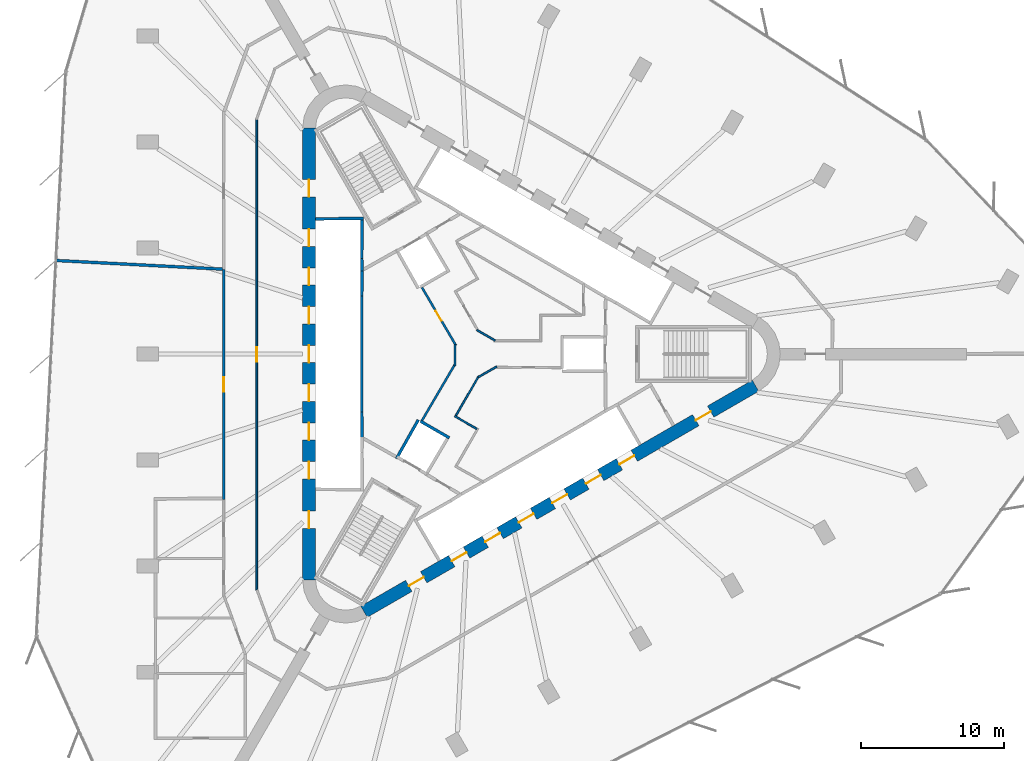
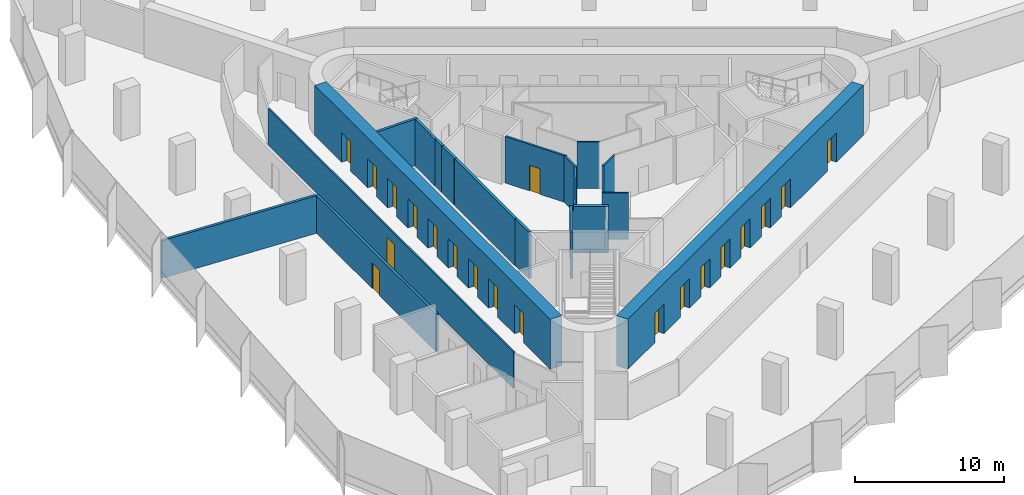
# One storey, part 10 of 14: 20 doors, 20 walls, 20 openings.
"""IFC4 building model written with IfcOpenShell, lengths in metres."""

from ifc_helpers import new_model, si_unit, direction, frame, frame_2d, origin, place, context, subcontext, project, spatial, rectangle, extrude, material, layer, layer_set, type_object, element, fill, save


model = new_model("IFC4")

# Units and contexts
model_context = context("Model", 3, precision=1e-05, world=origin(), true_north=direction((0.0, 1.0)))
body_context = subcontext(model_context, "Body", "Model", "MODEL_VIEW")
ifc_project = project(units=[si_unit("LENGTHUNIT", "METRE"), si_unit("AREAUNIT", "SQUARE_METRE"), si_unit("VOLUMEUNIT", "CUBIC_METRE"), si_unit("PLANEANGLEUNIT", "RADIAN"), si_unit("MASSUNIT", "GRAM", prefix="KILO")], contexts=[model_context])

# Site, building, storey
site_placement = place(None, origin())
site = spatial("IfcSite", under=ifc_project, at=site_placement, CompositionType="ELEMENT")
building_placement = place(site_placement, origin())
building = spatial("IfcBuilding", under=site, at=building_placement, Name="Tanit Gate Tower", CompositionType="ELEMENT")
storey_placement = place(building_placement, frame((0.0, 0.0, 111.10009765625)))
storey = spatial("IfcBuildingStorey", under=building, at=storey_placement, Name="L23", CompositionType="ELEMENT", Elevation=111.10009765625)

# Wall, openings, doors
ifc_material_1 = material(Name="Concrete C60/75", Category="concrete")
ifc_layer_1 = layer(ifc_material_1, 0.89990234375)
ifc_layer_set_1 = layer_set([ifc_layer_1], Name="CORE WALL 900 C60/75")
wall_type_1 = type_object("IfcWallType", Name="CORE WALL 900 C60/75", PredefinedType="SHEAR", material=ifc_layer_set_1)
wall_1_placement = place(storey_placement, frame((-11.64990234375, 15.76171875, 0.0), z_axis=(0.0, 0.0, 1.0), x_axis=(0.0, -1.0, 0.0)))
wall_1 = element("IfcWall", 1, at=wall_1_placement, inside=storey, type_object=wall_type_1, Name="CORE WALL", PredefinedType="SHEAR", context=body_context, shape_type="SweptSolid", body=[
    extrude(rectangle(XDim=31.5234375, YDim=0.89990234375, at=frame_2d((15.76171875, 0.0))), origin(), (0.0, 0.0, 1.0), 4.099853515625),
])
opening_1_placement = place(wall_1_placement, frame((7.061767578125, 0.0, 0.0)))
opening_1 = element("IfcOpeningElement", 2, at=opening_1_placement, cuts=wall_1, Name="Opening LDLL1-S05", PredefinedType="OPENING", context=body_context, shape_type="SweptSolid", body=[
    extrude(rectangle(XDim=1.199951171875, YDim=2.39990234375, at=frame_2d((0.60009765625, 1.199951171875))), frame((0.0, 0.4599609375, 0.0), z_axis=(0.0, -1.0, 0.0), x_axis=(1.0, 0.0, 0.0)), (0.0, 0.0, 1.0), 0.919921875),
])
opening_2_placement = place(wall_1_placement, frame((9.76171875, 0.0, 0.0)))
opening_2 = element("IfcOpeningElement", 3, at=opening_2_placement, cuts=wall_1, Name="Opening LDLL2-S05", PredefinedType="OPENING", context=body_context, shape_type="SweptSolid", body=[
    extrude(rectangle(XDim=1.199951171875, YDim=2.39990234375, at=frame_2d((0.60009765625, 1.199951171875))), frame((0.0, 0.4599609375, 0.0), z_axis=(0.0, -1.0, 0.0), x_axis=(1.0, 0.0, 0.0)), (0.0, 0.0, 1.0), 0.919921875),
])
opening_3_placement = place(wall_1_placement, frame((12.461669921875, 0.0, 0.0)))
opening_3 = element("IfcOpeningElement", 4, at=opening_3_placement, cuts=wall_1, Name="Opening LDLL3-S05", PredefinedType="OPENING", context=body_context, shape_type="SweptSolid", body=[
    extrude(rectangle(XDim=1.199951171875, YDim=2.39990234375, at=frame_2d((0.60009765625, 1.199951171875))), frame((0.0, 0.4599609375, 0.0), z_axis=(0.0, -1.0, 0.0), x_axis=(1.0, 0.0, 0.0)), (0.0, 0.0, 1.0), 0.919921875),
])
opening_4_placement = place(wall_1_placement, frame((15.16162109375, 0.0, 0.0)))
opening_4 = element("IfcOpeningElement", 5, at=opening_4_placement, cuts=wall_1, Name="Opening LDLL4-S05", PredefinedType="OPENING", context=body_context, shape_type="SweptSolid", body=[
    extrude(rectangle(XDim=1.199951171875, YDim=2.39990234375, at=frame_2d((0.60009765625, 1.199951171875))), frame((0.0, 0.4599609375, 0.0), z_axis=(0.0, -1.0, 0.0), x_axis=(1.0, 0.0, 0.0)), (0.0, 0.0, 1.0), 0.919921875),
])
opening_5_placement = place(wall_1_placement, frame((17.86181640625, 0.0, 0.0)))
opening_5 = element("IfcOpeningElement", 6, at=opening_5_placement, cuts=wall_1, Name="Opening LDLL5-S05", PredefinedType="OPENING", context=body_context, shape_type="SweptSolid", body=[
    extrude(rectangle(XDim=1.199951171875, YDim=2.39990234375, at=frame_2d((0.60009765625, 1.199951171875))), frame((0.0, 0.4599609375, 0.0), z_axis=(0.0, -1.0, 0.0), x_axis=(1.0, 0.0, 0.0)), (0.0, 0.0, 1.0), 0.919921875),
])
opening_6_placement = place(wall_1_placement, frame((20.561767578125, 0.0, 0.0)))
opening_6 = element("IfcOpeningElement", 7, at=opening_6_placement, cuts=wall_1, Name="Opening LDLL6-S05", PredefinedType="OPENING", context=body_context, shape_type="SweptSolid", body=[
    extrude(rectangle(XDim=1.199951171875, YDim=2.39990234375, at=frame_2d((0.60009765625, 1.199951171875))), frame((0.0, 0.4599609375, 0.0), z_axis=(0.0, -1.0, 0.0), x_axis=(1.0, 0.0, 0.0)), (0.0, 0.0, 1.0), 0.919921875),
])
opening_7_placement = place(wall_1_placement, frame((23.26171875, 0.0, 0.0)))
opening_7 = element("IfcOpeningElement", 8, at=opening_7_placement, cuts=wall_1, Name="Opening LDLL7-S05", PredefinedType="OPENING", context=body_context, shape_type="SweptSolid", body=[
    extrude(rectangle(XDim=1.199951171875, YDim=2.39990234375, at=frame_2d((0.60009765625, 1.199951171875))), frame((0.0, 0.4599609375, 0.0), z_axis=(0.0, -1.0, 0.0), x_axis=(1.0, 0.0, 0.0)), (0.0, 0.0, 1.0), 0.919921875),
])
opening_8_placement = place(wall_1_placement, frame((3.61181640625, 0.0, 0.0)))
opening_8 = element("IfcOpeningElement", 9, at=opening_8_placement, cuts=wall_1, Name="Opening F12-S05-FL2", PredefinedType="OPENING", context=body_context, shape_type="SweptSolid", body=[
    extrude(rectangle(XDim=1.199951171875, YDim=2.39990234375, at=frame_2d((0.60009765625, 1.199951171875))), frame((0.0, 0.4599609375, 0.0), z_axis=(0.0, -1.0, 0.0), x_axis=(1.0, 0.0, 0.0)), (0.0, 0.0, 1.0), 0.919921875),
])
opening_9_placement = place(wall_1_placement, frame((26.711669921875, 0.0, 0.0)))
opening_9 = element("IfcOpeningElement", 10, at=opening_9_placement, cuts=wall_1, Name="Opening F12-S05-S3", PredefinedType="OPENING", context=body_context, shape_type="SweptSolid", body=[
    extrude(rectangle(XDim=1.199951171875, YDim=2.39990234375, at=frame_2d((0.60009765625, 1.199951171875))), frame((0.0, 0.4599609375, 0.0), z_axis=(0.0, -1.0, 0.0), x_axis=(1.0, 0.0, 0.0)), (0.0, 0.0, 1.0), 0.919921875),
])
ifc_material_2 = material(Name="Fire-rated steel door leaf", Category="steel")
door_type_1 = type_object("IfcDoorType", Name="INT-DOOR-FIRE-LOBBY-1200", OperationType="NOTDEFINED", PredefinedType="USERDEFINED", material=ifc_material_2)
door_1_placement = place(opening_8_placement, origin())
door_1 = element("IfcDoor", 11, at=door_1_placement, inside=storey, type_object=door_type_1, Name="Door F12-S05-FL2", ObjectType="FIRE DOOR", OperationType="SINGLE_SWING_RIGHT", OverallHeight=2.39990234375, OverallWidth=1.199951171875, PredefinedType="USERDEFINED", context=body_context, shape_type="SweptSolid", body=[
    extrude(rectangle(XDim=1.199951171875, YDim=2.39990234375, at=frame_2d((0.60009765625, 1.199951171875))), frame((0.0, 0.02490234375, 0.0), z_axis=(0.0, -1.0, 0.0), x_axis=(1.0, 0.0, 0.0)), (0.0, 0.0, 1.0), 0.050048828125),
])
fill(opening_8, door_1)
door_2_placement = place(opening_9_placement, origin())
door_2 = element("IfcDoor", 12, at=door_2_placement, inside=storey, type_object=door_type_1, Name="Door F12-S05-S3", ObjectType="FIRE DOOR", OperationType="SINGLE_SWING_LEFT", OverallHeight=2.39990234375, OverallWidth=1.199951171875, PredefinedType="USERDEFINED", context=body_context, shape_type="SweptSolid", body=[
    extrude(rectangle(XDim=1.199951171875, YDim=2.39990234375, at=frame_2d((0.60009765625, 1.199951171875))), frame((0.0, 0.02490234375, 0.0), z_axis=(0.0, -1.0, 0.0), x_axis=(1.0, 0.0, 0.0)), (0.0, 0.0, 1.0), 0.050048828125),
])
fill(opening_9, door_2)
ifc_material_3 = material(Name="Stainless steel sliding door leaf", Category="steel")
door_type_2 = type_object("IfcDoorType", Name="INT-DOOR-LANDING-1200", OperationType="NOTDEFINED", PredefinedType="USERDEFINED", material=ifc_material_3)
door_3_placement = place(opening_1_placement, origin())
door_3 = element("IfcDoor", 13, at=door_3_placement, inside=storey, type_object=door_type_2, Name="Door LDLL1-S05", ObjectType="LANDING DOOR", OperationType="SLIDING_TO_LEFT", OverallHeight=2.39990234375, OverallWidth=1.199951171875, PredefinedType="USERDEFINED", context=body_context, shape_type="SweptSolid", body=[
    extrude(rectangle(XDim=1.199951171875, YDim=2.39990234375, at=frame_2d((0.60009765625, 1.199951171875))), frame((0.0, 0.02490234375, 0.0), z_axis=(0.0, -1.0, 0.0), x_axis=(1.0, 0.0, 0.0)), (0.0, 0.0, 1.0), 0.050048828125),
])
fill(opening_1, door_3)
door_4_placement = place(opening_2_placement, origin())
door_4 = element("IfcDoor", 14, at=door_4_placement, inside=storey, type_object=door_type_2, Name="Door LDLL2-S05", ObjectType="LANDING DOOR", OperationType="SLIDING_TO_LEFT", OverallHeight=2.39990234375, OverallWidth=1.199951171875, PredefinedType="USERDEFINED", context=body_context, shape_type="SweptSolid", body=[
    extrude(rectangle(XDim=1.199951171875, YDim=2.39990234375, at=frame_2d((0.60009765625, 1.199951171875))), frame((0.0, 0.02490234375, 0.0), z_axis=(0.0, -1.0, 0.0), x_axis=(1.0, 0.0, 0.0)), (0.0, 0.0, 1.0), 0.050048828125),
])
fill(opening_2, door_4)
door_5_placement = place(opening_3_placement, origin())
door_5 = element("IfcDoor", 15, at=door_5_placement, inside=storey, type_object=door_type_2, Name="Door LDLL3-S05", ObjectType="LANDING DOOR", OperationType="SLIDING_TO_LEFT", OverallHeight=2.39990234375, OverallWidth=1.199951171875, PredefinedType="USERDEFINED", context=body_context, shape_type="SweptSolid", body=[
    extrude(rectangle(XDim=1.199951171875, YDim=2.39990234375, at=frame_2d((0.60009765625, 1.199951171875))), frame((0.0, 0.02490234375, 0.0), z_axis=(0.0, -1.0, 0.0), x_axis=(1.0, 0.0, 0.0)), (0.0, 0.0, 1.0), 0.050048828125),
])
fill(opening_3, door_5)
door_6_placement = place(opening_4_placement, origin())
door_6 = element("IfcDoor", 16, at=door_6_placement, inside=storey, type_object=door_type_2, Name="Door LDLL4-S05", ObjectType="LANDING DOOR", OperationType="SLIDING_TO_LEFT", OverallHeight=2.39990234375, OverallWidth=1.199951171875, PredefinedType="USERDEFINED", context=body_context, shape_type="SweptSolid", body=[
    extrude(rectangle(XDim=1.199951171875, YDim=2.39990234375, at=frame_2d((0.60009765625, 1.199951171875))), frame((0.0, 0.02490234375, 0.0), z_axis=(0.0, -1.0, 0.0), x_axis=(1.0, 0.0, 0.0)), (0.0, 0.0, 1.0), 0.050048828125),
])
fill(opening_4, door_6)
door_7_placement = place(opening_5_placement, origin())
door_7 = element("IfcDoor", 17, at=door_7_placement, inside=storey, type_object=door_type_2, Name="Door LDLL5-S05", ObjectType="LANDING DOOR", OperationType="SLIDING_TO_LEFT", OverallHeight=2.39990234375, OverallWidth=1.199951171875, PredefinedType="USERDEFINED", context=body_context, shape_type="SweptSolid", body=[
    extrude(rectangle(XDim=1.199951171875, YDim=2.39990234375, at=frame_2d((0.60009765625, 1.199951171875))), frame((0.0, 0.02490234375, 0.0), z_axis=(0.0, -1.0, 0.0), x_axis=(1.0, 0.0, 0.0)), (0.0, 0.0, 1.0), 0.050048828125),
])
fill(opening_5, door_7)
door_8_placement = place(opening_6_placement, origin())
door_8 = element("IfcDoor", 18, at=door_8_placement, inside=storey, type_object=door_type_2, Name="Door LDLL6-S05", ObjectType="LANDING DOOR", OperationType="SLIDING_TO_LEFT", OverallHeight=2.39990234375, OverallWidth=1.199951171875, PredefinedType="USERDEFINED", context=body_context, shape_type="SweptSolid", body=[
    extrude(rectangle(XDim=1.199951171875, YDim=2.39990234375, at=frame_2d((0.60009765625, 1.199951171875))), frame((0.0, 0.02490234375, 0.0), z_axis=(0.0, -1.0, 0.0), x_axis=(1.0, 0.0, 0.0)), (0.0, 0.0, 1.0), 0.050048828125),
])
fill(opening_6, door_8)
door_9_placement = place(opening_7_placement, origin())
door_9 = element("IfcDoor", 19, at=door_9_placement, inside=storey, type_object=door_type_2, Name="Door LDLL7-S05", ObjectType="LANDING DOOR", OperationType="SLIDING_TO_LEFT", OverallHeight=2.39990234375, OverallWidth=1.199951171875, PredefinedType="USERDEFINED", context=body_context, shape_type="SweptSolid", body=[
    extrude(rectangle(XDim=1.199951171875, YDim=2.39990234375, at=frame_2d((0.60009765625, 1.199951171875))), frame((0.0, 0.02490234375, 0.0), z_axis=(0.0, -1.0, 0.0), x_axis=(1.0, 0.0, 0.0)), (0.0, 0.0, 1.0), 0.050048828125),
])
fill(opening_7, door_9)

wall_2_placement = place(storey_placement, frame((-7.824951171875, -17.969970703125, 0.0), z_axis=(0.0, 0.0, 1.0), x_axis=(0.866028369851, 0.499994862586, 0.0)))
wall_2 = element("IfcWall", 20, at=wall_2_placement, inside=storey, type_object=wall_type_1, Name="CORE WALL", PredefinedType="SHEAR", context=body_context, shape_type="SweptSolid", body=[
    extrude(rectangle(XDim=31.523193359375, YDim=0.89990234375, at=frame_2d((15.76171875, 0.0))), origin(), (0.0, 0.0, 1.0), 4.099853515625),
])
opening_10_placement = place(wall_2_placement, frame((7.061767578125, 0.0, 0.0)))
opening_10 = element("IfcOpeningElement", 21, at=opening_10_placement, cuts=wall_2, Name="Opening LDSX1-S05", PredefinedType="OPENING", context=body_context, shape_type="SweptSolid", body=[
    extrude(rectangle(XDim=1.199951171875, YDim=2.39990234375, at=frame_2d((0.60009765625, 1.199951171875))), frame((0.0, 0.4599609375, 0.0), z_axis=(0.0, -1.0, 0.0), x_axis=(1.0, 0.0, 0.0)), (0.0, 0.0, 1.0), 0.919921875),
])
opening_11_placement = place(wall_2_placement, frame((9.76171875, 0.0, 0.0)))
opening_11 = element("IfcOpeningElement", 22, at=opening_11_placement, cuts=wall_2, Name="Opening LDSX2-S05", PredefinedType="OPENING", context=body_context, shape_type="SweptSolid", body=[
    extrude(rectangle(XDim=1.199951171875, YDim=2.39990234375, at=frame_2d((0.60009765625, 1.199951171875))), frame((0.0, 0.4599609375, 0.0), z_axis=(0.0, -1.0, 0.0), x_axis=(1.0, 0.0, 0.0)), (0.0, 0.0, 1.0), 0.919921875),
])
opening_12_placement = place(wall_2_placement, frame((12.461669921875, 0.0, 0.0)))
opening_12 = element("IfcOpeningElement", 23, at=opening_12_placement, cuts=wall_2, Name="Opening LDSX3-S05", PredefinedType="OPENING", context=body_context, shape_type="SweptSolid", body=[
    extrude(rectangle(XDim=1.199951171875, YDim=2.39990234375, at=frame_2d((0.60009765625, 1.199951171875))), frame((0.0, 0.4599609375, 0.0), z_axis=(0.0, -1.0, 0.0), x_axis=(1.0, 0.0, 0.0)), (0.0, 0.0, 1.0), 0.919921875),
])
opening_13_placement = place(wall_2_placement, frame((15.16162109375, 0.0, 0.0)))
opening_13 = element("IfcOpeningElement", 24, at=opening_13_placement, cuts=wall_2, Name="Opening LDSX4-S05", PredefinedType="OPENING", context=body_context, shape_type="SweptSolid", body=[
    extrude(rectangle(XDim=1.199951171875, YDim=2.39990234375, at=frame_2d((0.60009765625, 1.199951171875))), frame((0.0, 0.4599609375, 0.0), z_axis=(0.0, -1.0, 0.0), x_axis=(1.0, 0.0, 0.0)), (0.0, 0.0, 1.0), 0.919921875),
])
opening_14_placement = place(wall_2_placement, frame((17.861572265625, 0.0, 0.0)))
opening_14 = element("IfcOpeningElement", 25, at=opening_14_placement, cuts=wall_2, Name="Opening LDSV1-S05", PredefinedType="OPENING", context=body_context, shape_type="SweptSolid", body=[
    extrude(rectangle(XDim=1.199951171875, YDim=2.39990234375, at=frame_2d((0.60009765625, 1.199951171875))), frame((0.0, 0.4599609375, 0.0), z_axis=(0.0, -1.0, 0.0), x_axis=(1.0, 0.0, 0.0)), (0.0, 0.0, 1.0), 0.919921875),
])
opening_15_placement = place(wall_2_placement, frame((20.561767578125, 0.0, 0.0)))
opening_15 = element("IfcOpeningElement", 26, at=opening_15_placement, cuts=wall_2, Name="Opening LDSV2-S05", PredefinedType="OPENING", context=body_context, shape_type="SweptSolid", body=[
    extrude(rectangle(XDim=1.199951171875, YDim=2.39990234375, at=frame_2d((0.60009765625, 1.199951171875))), frame((0.0, 0.4599609375, 0.0), z_axis=(0.0, -1.0, 0.0), x_axis=(1.0, 0.0, 0.0)), (0.0, 0.0, 1.0), 0.919921875),
])
opening_16_placement = place(wall_2_placement, frame((26.711669921875, 0.0, 0.0)))
opening_16 = element("IfcOpeningElement", 27, at=opening_16_placement, cuts=wall_2, Name="Opening F12-S05-S1", PredefinedType="OPENING", context=body_context, shape_type="SweptSolid", body=[
    extrude(rectangle(XDim=1.199951171875, YDim=2.39990234375, at=frame_2d((0.60009765625, 1.199951171875))), frame((0.0, 0.4599609375, 0.0), z_axis=(0.0, -1.0, 0.0), x_axis=(1.0, 0.0, 0.0)), (0.0, 0.0, 1.0), 0.919921875),
])
opening_17_placement = place(wall_2_placement, frame((3.611572265625, 0.0, 0.0)))
opening_17 = element("IfcOpeningElement", 28, at=opening_17_placement, cuts=wall_2, Name="Opening F12-S05-FL3", PredefinedType="OPENING", context=body_context, shape_type="SweptSolid", body=[
    extrude(rectangle(XDim=1.199951171875, YDim=2.39990234375, at=frame_2d((0.60009765625, 1.199951171875))), frame((0.0, 0.4599609375, 0.0), z_axis=(0.0, -1.0, 0.0), x_axis=(1.0, 0.0, 0.0)), (0.0, 0.0, 1.0), 0.919921875),
])
door_10_placement = place(opening_16_placement, origin())
door_10 = element("IfcDoor", 29, at=door_10_placement, inside=storey, type_object=door_type_1, Name="Door F12-S05-S1", ObjectType="FIRE DOOR", OperationType="SINGLE_SWING_LEFT", OverallHeight=2.39990234375, OverallWidth=1.199951171875, PredefinedType="USERDEFINED", context=body_context, shape_type="SweptSolid", body=[
    extrude(rectangle(XDim=1.199951171875, YDim=2.39990234375, at=frame_2d((0.60009765625, 1.199951171875))), frame((0.0, 0.02490234375, 0.0), z_axis=(0.0, -1.0, 0.0), x_axis=(1.0, 0.0, 0.0)), (0.0, 0.0, 1.0), 0.050048828125),
])
fill(opening_16, door_10)
door_11_placement = place(opening_17_placement, origin())
door_11 = element("IfcDoor", 30, at=door_11_placement, inside=storey, type_object=door_type_1, Name="Door F12-S05-FL3", ObjectType="FIRE DOOR", OperationType="SINGLE_SWING_RIGHT", OverallHeight=2.39990234375, OverallWidth=1.199951171875, PredefinedType="USERDEFINED", context=body_context, shape_type="SweptSolid", body=[
    extrude(rectangle(XDim=1.199951171875, YDim=2.39990234375, at=frame_2d((0.60009765625, 1.199951171875))), frame((0.0, 0.02490234375, 0.0), z_axis=(0.0, -1.0, 0.0), x_axis=(1.0, 0.0, 0.0)), (0.0, 0.0, 1.0), 0.050048828125),
])
fill(opening_17, door_11)
door_12_placement = place(opening_10_placement, origin())
door_12 = element("IfcDoor", 31, at=door_12_placement, inside=storey, type_object=door_type_2, Name="Door LDSX1-S05", ObjectType="LANDING DOOR", OperationType="SLIDING_TO_LEFT", OverallHeight=2.39990234375, OverallWidth=1.199951171875, PredefinedType="USERDEFINED", context=body_context, shape_type="SweptSolid", body=[
    extrude(rectangle(XDim=1.199951171875, YDim=2.39990234375, at=frame_2d((0.60009765625, 1.199951171875))), frame((0.0, 0.02490234375, 0.0), z_axis=(0.0, -1.0, 0.0), x_axis=(1.0, 0.0, 0.0)), (0.0, 0.0, 1.0), 0.050048828125),
])
fill(opening_10, door_12)
door_13_placement = place(opening_11_placement, origin())
door_13 = element("IfcDoor", 32, at=door_13_placement, inside=storey, type_object=door_type_2, Name="Door LDSX2-S05", ObjectType="LANDING DOOR", OperationType="SLIDING_TO_LEFT", OverallHeight=2.39990234375, OverallWidth=1.199951171875, PredefinedType="USERDEFINED", context=body_context, shape_type="SweptSolid", body=[
    extrude(rectangle(XDim=1.199951171875, YDim=2.39990234375, at=frame_2d((0.60009765625, 1.199951171875))), frame((0.0, 0.02490234375, 0.0), z_axis=(0.0, -1.0, 0.0), x_axis=(1.0, 0.0, 0.0)), (0.0, 0.0, 1.0), 0.050048828125),
])
fill(opening_11, door_13)
door_14_placement = place(opening_12_placement, origin())
door_14 = element("IfcDoor", 33, at=door_14_placement, inside=storey, type_object=door_type_2, Name="Door LDSX3-S05", ObjectType="LANDING DOOR", OperationType="SLIDING_TO_LEFT", OverallHeight=2.39990234375, OverallWidth=1.199951171875, PredefinedType="USERDEFINED", context=body_context, shape_type="SweptSolid", body=[
    extrude(rectangle(XDim=1.199951171875, YDim=2.39990234375, at=frame_2d((0.60009765625, 1.199951171875))), frame((0.0, 0.02490234375, 0.0), z_axis=(0.0, -1.0, 0.0), x_axis=(1.0, 0.0, 0.0)), (0.0, 0.0, 1.0), 0.050048828125),
])
fill(opening_12, door_14)
door_15_placement = place(opening_13_placement, origin())
door_15 = element("IfcDoor", 34, at=door_15_placement, inside=storey, type_object=door_type_2, Name="Door LDSX4-S05", ObjectType="LANDING DOOR", OperationType="SLIDING_TO_LEFT", OverallHeight=2.39990234375, OverallWidth=1.199951171875, PredefinedType="USERDEFINED", context=body_context, shape_type="SweptSolid", body=[
    extrude(rectangle(XDim=1.199951171875, YDim=2.39990234375, at=frame_2d((0.60009765625, 1.199951171875))), frame((0.0, 0.02490234375, 0.0), z_axis=(0.0, -1.0, 0.0), x_axis=(1.0, 0.0, 0.0)), (0.0, 0.0, 1.0), 0.050048828125),
])
fill(opening_13, door_15)
door_16_placement = place(opening_14_placement, origin())
door_16 = element("IfcDoor", 35, at=door_16_placement, inside=storey, type_object=door_type_2, Name="Door LDSV1-S05", ObjectType="LANDING DOOR", OperationType="SLIDING_TO_LEFT", OverallHeight=2.39990234375, OverallWidth=1.199951171875, PredefinedType="USERDEFINED", context=body_context, shape_type="SweptSolid", body=[
    extrude(rectangle(XDim=1.199951171875, YDim=2.39990234375, at=frame_2d((0.60009765625, 1.199951171875))), frame((0.0, 0.02490234375, 0.0), z_axis=(0.0, -1.0, 0.0), x_axis=(1.0, 0.0, 0.0)), (0.0, 0.0, 1.0), 0.050048828125),
])
fill(opening_14, door_16)
door_17_placement = place(opening_15_placement, origin())
door_17 = element("IfcDoor", 36, at=door_17_placement, inside=storey, type_object=door_type_2, Name="Door LDSV2-S05", ObjectType="LANDING DOOR", OperationType="SLIDING_TO_LEFT", OverallHeight=2.39990234375, OverallWidth=1.199951171875, PredefinedType="USERDEFINED", context=body_context, shape_type="SweptSolid", body=[
    extrude(rectangle(XDim=1.199951171875, YDim=2.39990234375, at=frame_2d((0.60009765625, 1.199951171875))), frame((0.0, 0.02490234375, 0.0), z_axis=(0.0, -1.0, 0.0), x_axis=(1.0, 0.0, 0.0)), (0.0, 0.0, 1.0), 0.050048828125),
])
fill(opening_15, door_17)

# Wall, opening, door
ifc_material_4 = material(Name="Fire-rated gypsum board partition")
ifc_layer_2 = layer(ifc_material_4, 0.199951171875)
ifc_layer_set_2 = layer_set([ifc_layer_2], Name="INT-WALL-COMPARTMENT")
wall_type_2 = type_object("IfcWallType", Name="INT-WALL-COMPARTMENT", PredefinedType="PARTITIONING", material=ifc_layer_set_2)
wall_3_placement = place(storey_placement, frame((-17.60009765625, 5.888427734375, 0.0), z_axis=(0.0, 0.0, 1.0), x_axis=(0.0, -1.0, 0.0)))
wall_3 = element("IfcWall", 37, at=wall_3_placement, inside=storey, type_object=wall_type_2, Name="Wall Compartment W089", PredefinedType="PARTITIONING", context=body_context, shape_type="SweptSolid", body=[
    extrude(rectangle(XDim=16.018310546875, YDim=0.199951171875, at=frame_2d((8.00927734375, 0.0))), origin(), (0.0, 0.0, 1.0), 3.079833984375),
])
opening_18_placement = place(wall_3_placement, frame((7.50927734375, 0.0, 0.0)))
opening_18 = element("IfcOpeningElement", 38, at=opening_18_placement, cuts=wall_3, Name="Opening F10-S05-20", PredefinedType="OPENING", context=body_context, shape_type="SweptSolid", body=[
    extrude(rectangle(XDim=1.0, YDim=2.10009765625, at=frame_2d((0.5, 1.050048828125))), frame((0.0, 0.10986328125, 0.0), z_axis=(0.0, -1.0, 0.0), x_axis=(1.0, 0.0, 0.0)), (0.0, 0.0, 1.0), 0.219970703125),
])
ifc_material_5 = material(Name="Fire-rated steel door leaf", Category="steel")
door_type_3 = type_object("IfcDoorType", Name="INT-DOOR-FIRE-1000", OperationType="NOTDEFINED", PredefinedType="USERDEFINED", material=ifc_material_5)
door_18_placement = place(opening_18_placement, origin())
door_18 = element("IfcDoor", 39, at=door_18_placement, inside=storey, type_object=door_type_3, Name="Door F10-S05-20", ObjectType="FIRE DOOR", OperationType="SINGLE_SWING_RIGHT", OverallHeight=2.10009765625, OverallWidth=1.0, PredefinedType="USERDEFINED", context=body_context, shape_type="SweptSolid", body=[
    extrude(rectangle(XDim=1.0, YDim=2.10009765625, at=frame_2d((0.5, 1.050048828125))), frame((0.0, 0.02490234375, 0.0), z_axis=(0.0, -1.0, 0.0), x_axis=(1.0, 0.0, 0.0)), (0.0, 0.0, 1.0), 0.050048828125),
])
fill(opening_18, door_18)

# Walls
wall_4_placement = place(storey_placement, frame((-17.699951171875, 5.916259765625, 0.0), z_axis=(0.0, 0.0, 1.0), x_axis=(-0.998647121722, 0.051999291111, 0.0)))
element("IfcWall", 40, at=wall_4_placement, inside=storey, type_object=wall_type_2, Name="Wall Compartment W109", PredefinedType="PARTITIONING", context=body_context, shape_type="SweptSolid", body=[
    extrude(rectangle(XDim=11.61083984375, YDim=0.199951171875, at=frame_2d((5.805419921875, 0.0))), origin(), (0.0, 0.0, 1.0), 3.079833984375),
])
ifc_material_6 = material(Name="Gypsum board partition")
ifc_layer_3 = layer(ifc_material_6, 0.1201171875)
ifc_layer_set_3 = layer_set([ifc_layer_3], Name="INT-WALL-PARTITION")
wall_type_3 = type_object("IfcWallType", Name="INT-WALL-PARTITION", PredefinedType="PARTITIONING", material=ifc_layer_set_3)
wall_5_placement = place(storey_placement, frame((-1.5009765625, -4.32958984375, 0.0), z_axis=(0.0, 0.0, 1.0), x_axis=(0.866059624469, -0.499940723351, 0.0)))
element("IfcWall", 41, at=wall_5_placement, inside=storey, type_object=wall_type_3, Name="Wall Partition W070", PredefinedType="PARTITIONING", context=body_context, shape_type="SweptSolid", body=[
    extrude(rectangle(XDim=1.775146484375, YDim=0.1201171875, at=frame_2d((0.8876953125, 0.0))), origin(), (0.0, 0.0, 1.0), 3.7998046875),
])
wall_6_placement = place(storey_placement, frame((0.181884765625, -1.534912109375, 0.0), z_axis=(0.0, 0.0, 1.0), x_axis=(-0.500001886891, -0.866024314385, 0.0)))
element("IfcWall", 42, at=wall_6_placement, inside=storey, type_object=wall_type_3, Name="Wall Partition W071", PredefinedType="PARTITIONING", context=body_context, shape_type="SweptSolid", body=[
    extrude(rectangle(XDim=3.20166015625, YDim=0.1201171875, at=frame_2d((1.600830078125, 0.0))), origin(), (0.0, 0.0, 1.0), 3.7998046875),
])
wall_7_placement = place(storey_placement, frame((1.43115234375, -0.873779296875, 0.0), z_axis=(0.0, 0.0, 1.0), x_axis=(-0.866037643702, -0.499978799242, 0.0)))
element("IfcWall", 43, at=wall_7_placement, inside=storey, type_object=wall_type_3, Name="Wall Partition W072", PredefinedType="PARTITIONING", context=body_context, shape_type="SweptSolid", body=[
    extrude(rectangle(XDim=1.48388671875, YDim=0.1201171875, at=frame_2d((0.741943359375, 0.0))), origin(), (0.0, 0.0, 1.0), 3.7998046875),
])
wall_8_placement = place(storey_placement, frame((0.039794921875, 1.677001953125, 0.0), z_axis=(0.0, 0.0, 1.0), x_axis=(0.866029572143, -0.499992780121, 0.0)))
element("IfcWall", 44, at=wall_8_placement, inside=storey, type_object=wall_type_3, Name="Wall Partition W080", PredefinedType="PARTITIONING", context=body_context, shape_type="SweptSolid", body=[
    extrude(rectangle(XDim=1.4853515625, YDim=0.1201171875, at=frame_2d((0.74267578125, 0.0))), origin(), (0.0, 0.0, 1.0), 3.7998046875),
])

# Wall, opening, door
wall_9_placement = place(storey_placement, frame((-15.300048828125, 16.34521484375, 0.0), z_axis=(0.0, 0.0, 1.0), x_axis=(0.0, -1.0, 0.0)))
wall_9 = element("IfcWall", 45, at=wall_9_placement, inside=storey, type_object=wall_type_3, Name="Wall Partition W086", PredefinedType="PARTITIONING", context=body_context, shape_type="SweptSolid", body=[
    extrude(rectangle(XDim=32.810546875, YDim=0.1201171875, at=frame_2d((16.4052734375, 0.0))), origin(), (0.0, 0.0, 1.0), 2.97998046875),
])
opening_19_placement = place(wall_9_placement, frame((15.875244140625, 0.0, 0.0)))
opening_19 = element("IfcOpeningElement", 46, at=opening_19_placement, cuts=wall_9, Name="Opening D10-S05-15", PredefinedType="OPENING", context=body_context, shape_type="SweptSolid", body=[
    extrude(rectangle(XDim=1.0, YDim=2.10009765625, at=frame_2d((0.5, 1.050048828125))), frame((0.0, 0.070068359375, 0.0), z_axis=(0.0, -1.0, 0.0), x_axis=(1.0, 0.0, 0.0)), (0.0, 0.0, 1.0), 0.14013671875),
])
ifc_material_7 = material(Name="Timber door leaf", Category="wood")
door_type_4 = type_object("IfcDoorType", Name="INT-DOOR-SINGLE-1000", OperationType="NOTDEFINED", PredefinedType="NOTDEFINED", material=ifc_material_7)
door_19_placement = place(opening_19_placement, origin())
door_19 = element("IfcDoor", 47, at=door_19_placement, inside=storey, type_object=door_type_4, Name="Door D10-S05-15", OperationType="SINGLE_SWING_RIGHT", OverallHeight=2.10009765625, OverallWidth=1.0, PredefinedType="NOTDEFINED", context=body_context, shape_type="SweptSolid", body=[
    extrude(rectangle(XDim=1.0, YDim=2.10009765625, at=frame_2d((0.5, 1.050048828125))), frame((0.0, 0.02490234375, 0.0), z_axis=(0.0, -1.0, 0.0), x_axis=(1.0, 0.0, 0.0)), (0.0, 0.0, 1.0), 0.050048828125),
])
fill(opening_19, door_19)

ifc_material_8 = material(Name="Fire-rated gypsum board partition")
ifc_layer_4 = layer(ifc_material_8, 0.14990234375)
ifc_layer_set_4 = layer_set([ifc_layer_4], Name="INT-WALL-RISER")
wall_type_4 = type_object("IfcWallType", Name="INT-WALL-RISER", PredefinedType="PLUMBINGWALL", material=ifc_layer_set_4)
wall_10_placement = place(storey_placement, frame((-1.407470703125, 0.589599609375, 0.0), z_axis=(0.0, 0.0, 1.0), x_axis=(-0.505502864584, 0.862824926562, 0.0)))
wall_10 = element("IfcWall", 48, at=wall_10_placement, inside=storey, type_object=wall_type_4, Name="Wall Riser W065", PredefinedType="PLUMBINGWALL", context=body_context, shape_type="SweptSolid", body=[
    extrude(rectangle(XDim=4.685791015625, YDim=0.14990234375, at=frame_2d((2.3427734375, 0.0))), origin(), (0.0, 0.0, 1.0), 3.7998046875),
])
opening_20_placement = place(wall_10_placement, frame((2.0068359375, 0.0, 0.0)))
opening_20 = element("IfcOpeningElement", 49, at=opening_20_placement, cuts=wall_10, Name="Opening R08-S05-10", PredefinedType="OPENING", context=body_context, shape_type="SweptSolid", body=[
    extrude(rectangle(XDim=0.800048828125, YDim=2.10009765625, at=frame_2d((0.39990234375, 1.050048828125))), frame((0.0, 0.0849609375, 0.0), z_axis=(0.0, -1.0, 0.0), x_axis=(1.0, 0.0, 0.0)), (0.0, 0.0, 1.0), 0.169921875),
])
ifc_material_9 = material(Name="Timber door leaf", Category="wood")
door_type_5 = type_object("IfcDoorType", Name="INT-DOOR-RISER-800", OperationType="NOTDEFINED", PredefinedType="USERDEFINED", material=ifc_material_9)
door_20_placement = place(opening_20_placement, origin())
door_20 = element("IfcDoor", 50, at=door_20_placement, inside=storey, type_object=door_type_5, Name="Door R08-S05-10", ObjectType="FIRE DOOR", OperationType="SINGLE_SWING_LEFT", OverallHeight=2.10009765625, OverallWidth=0.800048828125, PredefinedType="USERDEFINED", context=body_context, shape_type="SweptSolid", body=[
    extrude(rectangle(XDim=0.800048828125, YDim=2.10009765625, at=frame_2d((0.39990234375, 1.050048828125))), frame((0.0, 0.02490234375, 0.0), z_axis=(0.0, -1.0, 0.0), x_axis=(1.0, 0.0, 0.0)), (0.0, 0.0, 1.0), 0.050048828125),
])
fill(opening_20, door_20)

# Walls
wall_11_placement = place(storey_placement, frame((-1.47216796875, -0.828125, 0.0), z_axis=(0.0, 0.0, 1.0), x_axis=(0.0, 1.0, 0.0)))
element("IfcWall", 51, at=wall_11_placement, inside=storey, type_object=wall_type_4, Name="Wall Riser W066", PredefinedType="PLUMBINGWALL", context=body_context, shape_type="SweptSolid", body=[
    extrude(rectangle(XDim=1.504638671875, YDim=0.14990234375, at=frame_2d((0.75244140625, 0.0))), origin(), (0.0, 0.0, 1.0), 3.7998046875),
])
wall_12_placement = place(storey_placement, frame((-3.776123046875, -4.632568359375, 0.0), z_axis=(0.0, 0.0, 1.0), x_axis=(0.505503910315, 0.8628243139, 0.0)))
element("IfcWall", 52, at=wall_12_placement, inside=storey, type_object=wall_type_4, Name="Wall Riser W067", PredefinedType="PLUMBINGWALL", context=body_context, shape_type="SweptSolid", body=[
    extrude(rectangle(XDim=4.5341796875, YDim=0.14990234375, at=frame_2d((2.26708984375, 0.0))), origin(), (0.0, 0.0, 1.0), 3.7998046875),
])
ifc_material_10 = material(Name="Gypsum shaft wall system")
ifc_layer_5 = layer(ifc_material_10, 0.199951171875)
ifc_layer_set_5 = layer_set([ifc_layer_5], Name="INT-WALL-SHAFT")
wall_type_5 = type_object("IfcWallType", Name="INT-WALL-SHAFT", PredefinedType="PLUMBINGWALL", material=ifc_layer_set_5)
wall_13_placement = place(storey_placement, frame((-11.199951171875, 9.419921875, 0.0), z_axis=(0.0, 0.0, 1.0), x_axis=(0.999957167047, 0.009255488683, 0.0)))
element("IfcWall", 53, at=wall_13_placement, inside=storey, type_object=wall_type_5, Name="Wall Shaft W001", PredefinedType="PLUMBINGWALL", context=body_context, shape_type="SweptSolid", body=[
    extrude(rectangle(XDim=3.35009765625, YDim=0.199951171875, at=frame_2d((1.675048828125, 0.0))), origin(), (0.0, 0.0, 1.0), 3.7998046875),
])
wall_14_placement = place(storey_placement, frame((-7.951171875, 9.35009765625, 0.0), z_axis=(0.0, 0.0, 1.0), x_axis=(-0.011120469654, -0.999938165666, 0.0)))
element("IfcWall", 54, at=wall_14_placement, inside=storey, type_object=wall_type_5, Name="Wall Shaft W002", PredefinedType="PLUMBINGWALL", context=body_context, shape_type="SweptSolid", body=[
    extrude(rectangle(XDim=2.700439453125, YDim=0.199951171875, at=frame_2d((1.35009765625, 0.0))), origin(), (0.0, 0.0, 1.0), 3.7998046875),
])
wall_15_placement = place(storey_placement, frame((-7.97705078125, 6.650146484375, 0.0), z_axis=(0.0, 0.0, 1.0), x_axis=(0.030861509705, -0.999523670164, 0.0)))
element("IfcWall", 55, at=wall_15_placement, inside=storey, type_object=wall_type_5, Name="Wall Shaft W004", PredefinedType="PLUMBINGWALL", context=body_context, shape_type="SweptSolid", body=[
    extrude(rectangle(XDim=0.878173828125, YDim=0.199951171875, at=frame_2d((0.43896484375, 0.0))), origin(), (0.0, 0.0, 1.0), 3.7998046875),
])
wall_16_placement = place(storey_placement, frame((-7.948974609375, 5.894287109375, 0.0), z_axis=(0.0, 0.0, 1.0), x_axis=(-0.016809909365, -0.999858703491, 0.0)))
element("IfcWall", 56, at=wall_16_placement, inside=storey, type_object=wall_type_5, Name="Wall Shaft W005", PredefinedType="PLUMBINGWALL", context=body_context, shape_type="SweptSolid", body=[
    extrude(rectangle(XDim=1.844482421875, YDim=0.199951171875, at=frame_2d((0.92236328125, 0.0))), origin(), (0.0, 0.0, 1.0), 3.7998046875),
])
wall_17_placement = place(storey_placement, frame((-7.97998046875, 4.050048828125, 0.0), z_axis=(0.0, 0.0, 1.0), x_axis=(0.0, -1.0, 0.0)))
element("IfcWall", 57, at=wall_17_placement, inside=storey, type_object=wall_type_5, Name="Wall Shaft W006", PredefinedType="PLUMBINGWALL", context=body_context, shape_type="SweptSolid", body=[
    extrude(rectangle(XDim=8.10009765625, YDim=0.199951171875, at=frame_2d((4.050048828125, 0.0))), origin(), (0.0, 0.0, 1.0), 3.7998046875),
])
wall_18_placement = place(storey_placement, frame((-7.97998046875, -4.050048828125, 0.0), z_axis=(0.0, 0.0, 1.0), x_axis=(0.016809909365, -0.999858703491, 0.0)))
element("IfcWall", 58, at=wall_18_placement, inside=storey, type_object=wall_type_5, Name="Wall Shaft W010", PredefinedType="PLUMBINGWALL", context=body_context, shape_type="SweptSolid", body=[
    extrude(rectangle(XDim=1.844482421875, YDim=0.199951171875, at=frame_2d((0.92236328125, 0.0))), origin(), (0.0, 0.0, 1.0), 3.7998046875),
])
wall_19_placement = place(storey_placement, frame((-5.5625, -7.29638671875, 0.0), z_axis=(0.0, 0.0, 1.0), x_axis=(0.491322718731, 0.870977603649, 0.0)))
element("IfcWall", 59, at=wall_19_placement, inside=storey, type_object=wall_type_5, Name="Wall Shaft W054", PredefinedType="PLUMBINGWALL", context=body_context, shape_type="SweptSolid", body=[
    extrude(rectangle(XDim=3.10009765625, YDim=0.199951171875, at=frame_2d((1.550048828125, 0.0))), origin(), (0.0, 0.0, 1.0), 3.7998046875),
])
wall_20_placement = place(storey_placement, frame((-3.8916015625, -4.681396484375, 0.0), z_axis=(0.0, 0.0, 1.0), x_axis=(0.866009305107, -0.50002788269, 0.0)))
element("IfcWall", 60, at=wall_20_placement, inside=storey, type_object=wall_type_5, Name="Wall Shaft W055", PredefinedType="PLUMBINGWALL", context=body_context, shape_type="SweptSolid", body=[
    extrude(rectangle(XDim=2.329345703125, YDim=0.199951171875, at=frame_2d((1.16455078125, 0.0))), origin(), (0.0, 0.0, 1.0), 3.7998046875),
])

save(model, "model.ifc")
